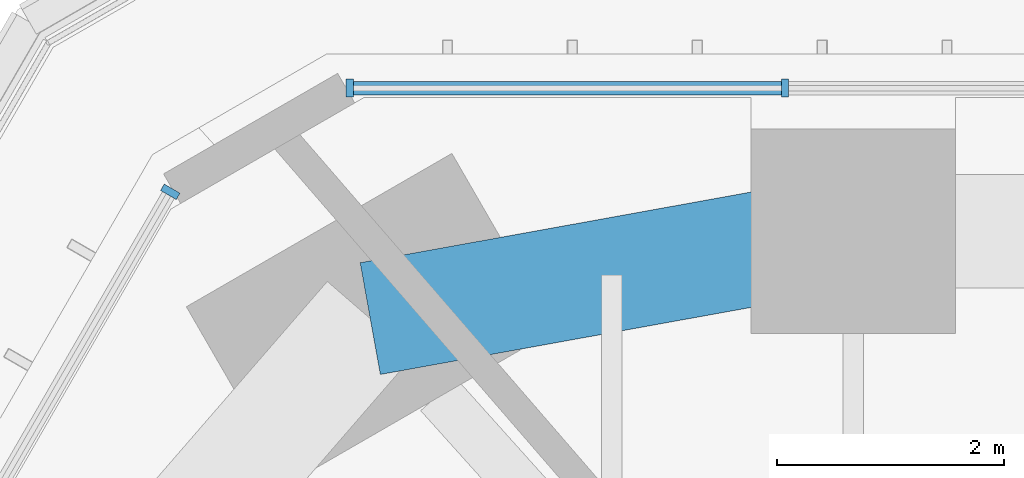
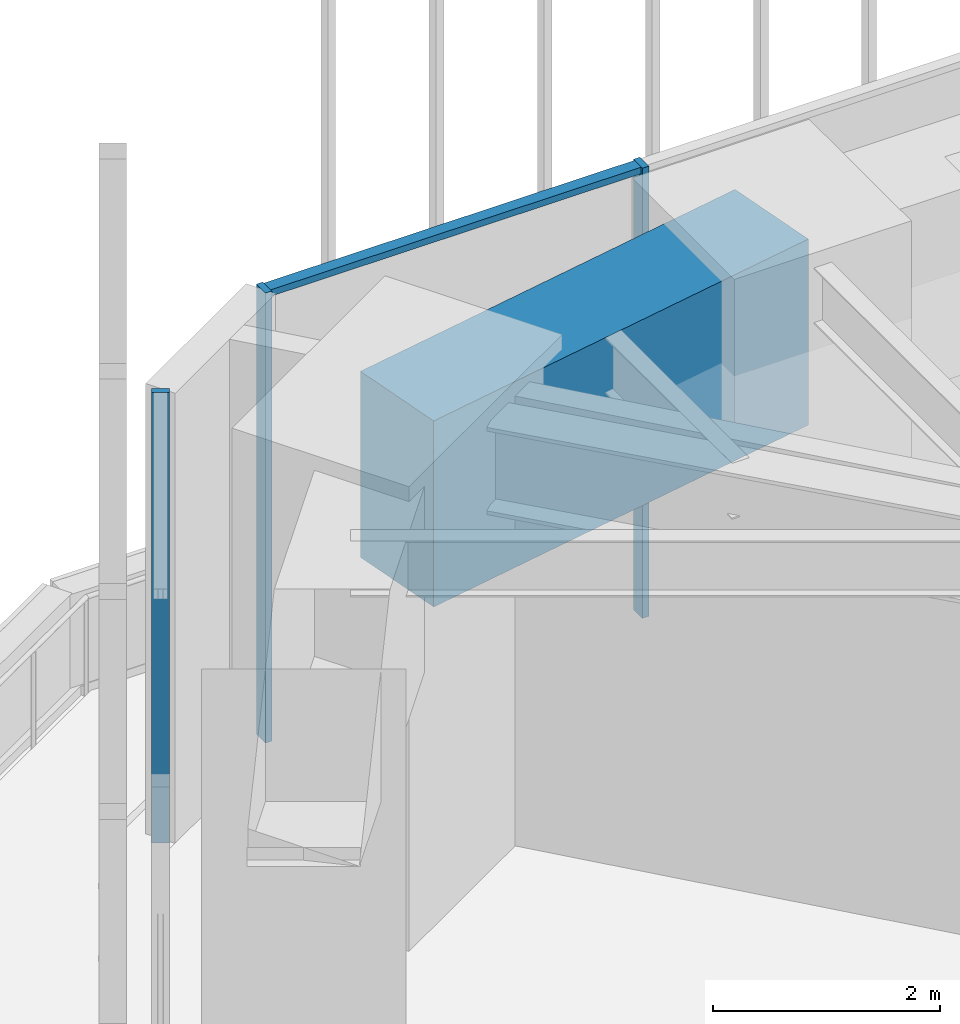
# One storey, part 154 of 228: 4 members, 1 beam, 2 elements without a shape of their own.
"""IFC4 building model written with IfcOpenShell, lengths in metres."""

from ifc_helpers import new_model, si_unit, direction, frame, origin, origin_2d, place, context, subcontext, project, spatial, rectangle, extrude, material, material_profile, profile_set, type_object, element, aggregate, save


model = new_model("IFC4")

# Units and contexts
model_context = context("Model", 3, precision=1e-05, world=origin(), true_north=direction((0.0, 1.0)))
body_context = subcontext(model_context, "Body", "Model", "MODEL_VIEW")
ifc_project = project(units=[si_unit("LENGTHUNIT", "METRE"), si_unit("AREAUNIT", "SQUARE_METRE"), si_unit("VOLUMEUNIT", "CUBIC_METRE"), si_unit("PLANEANGLEUNIT", "RADIAN"), si_unit("MASSUNIT", "GRAM", prefix="KILO")], contexts=[model_context])

# Site, building, storey
site_placement = place(None, origin())
site = spatial("IfcSite", under=ifc_project, at=site_placement, CompositionType="ELEMENT")
building_placement = place(site_placement, origin())
building = spatial("IfcBuilding", under=site, at=building_placement, Name="Sandreach Pilgrim Tower", CompositionType="ELEMENT")
storey_placement = place(building_placement, frame((0.0, 0.0, 178.199951171875)))
storey = spatial("IfcBuildingStorey", under=building, at=storey_placement, Name="L44", CompositionType="ELEMENT", Elevation=178.199951171875)

# Curtain wall, members
ifc_material_1 = material(Name="Aluminium framed curtain wall", Category="aluminium")
curtain_wall_type = type_object("IfcCurtainWallType", Name="Upper hotel tower curtain wall", PredefinedType="NOTDEFINED", material=ifc_material_1)
curtain_wall_1_placement = place(storey_placement, origin())
curtain_wall_1 = element("IfcCurtainWall", 1, at=curtain_wall_1_placement, inside=storey, type_object=curtain_wall_type, Name="CW-3 L44 N", PredefinedType="NOTDEFINED")
ifc_material_2 = material(Name="Aluminium extrusion", Category="aluminium")
ifc_material_profile_1 = material_profile(ifc_material_2, rectangle(XDim=0.06494140625, YDim=0.159912109375, at=origin_2d()), Name="CW-3M 65X160")
ifc_profile_set_1 = profile_set([ifc_material_profile_1], Name="Aluminium extrusion")
member_type_1 = type_object("IfcMemberType", Name="CW-3 mullion", PredefinedType="MULLION", material=ifc_profile_set_1)
member_1_placement = place(storey_placement, frame((-17.357421875, 21.16015625, 0.0), z_axis=(0.0, 0.0, 1.0), x_axis=(1.0, 0.0, 0.0)))
member_1 = element("IfcMember", 2, at=member_1_placement, type_object=member_type_1, Name="CW-3 mullion 1", PredefinedType="MULLION", context=body_context, shape_type="SweptSolid", body=[
    extrude(rectangle(XDim=0.06494140625, YDim=0.159912109375, at=origin_2d()), origin(), (0.0, 0.0, 1.0), 4.840087890625),
])
member_2_placement = place(storey_placement, frame((-13.525390625, 21.16015625, 0.0), z_axis=(0.0, 0.0, 1.0), x_axis=(1.0, 0.0, 0.0)))
member_2 = element("IfcMember", 3, at=member_2_placement, type_object=member_type_1, Name="CW-3 mullion 2", PredefinedType="MULLION", context=body_context, shape_type="SweptSolid", body=[
    extrude(rectangle(XDim=0.06494140625, YDim=0.159912109375, at=origin_2d()), origin(), (0.0, 0.0, 1.0), 4.840087890625),
])

# Curtain wall, member
curtain_wall_2_placement = place(storey_placement, origin())
curtain_wall_2 = element("IfcCurtainWall", 4, at=curtain_wall_2_placement, inside=storey, type_object=curtain_wall_type, Name="CW-3 L44 NW", PredefinedType="NOTDEFINED")
member_3_placement = place(storey_placement, frame((-18.93896484375, 20.2470703125, 0.0), z_axis=(0.0, 0.0, 1.0), x_axis=(0.5, 0.866025403784, 0.0)))
member_3 = element("IfcMember", 5, at=member_3_placement, type_object=member_type_1, Name="CW-3 mullion 5", PredefinedType="MULLION", context=body_context, shape_type="SweptSolid", body=[
    extrude(rectangle(XDim=0.06494140625, YDim=0.159912109375, at=origin_2d()), origin(), (0.0, 0.0, 1.0), 4.840087890625),
])
aggregate(curtain_wall_2, [member_3])

# Member
ifc_material_3 = material(Name="Aluminium extrusion", Category="aluminium")
ifc_material_profile_2 = material_profile(ifc_material_3, rectangle(XDim=0.1201171875, YDim=0.070068359375, at=origin_2d()), Name="CW-3T 120X70")
ifc_profile_set_2 = profile_set([ifc_material_profile_2], Name="Aluminium extrusion")
member_type_2 = type_object("IfcMemberType", Name="CW-3 transom", PredefinedType="USERDEFINED", material=ifc_profile_set_2)
member_4_placement = place(storey_placement, frame((-17.324951171875, 21.16015625, 4.804931640625), z_axis=(1.0, 0.0, 0.0), x_axis=(0.0, 1.0, 0.0)))
member_4 = element("IfcMember", 6, at=member_4_placement, type_object=member_type_2, Name="CW-3 head transom 1", ObjectType="TRANSOM", PredefinedType="USERDEFINED", context=body_context, shape_type="SweptSolid", body=[
    extrude(rectangle(XDim=0.1201171875, YDim=0.070068359375, at=origin_2d()), origin(), (0.0, 0.0, 1.0), 3.76708984375),
])

aggregate(curtain_wall_1, [member_1, member_2, member_4])

# Beam
ifc_material_4 = material(Name="Concrete 10000 psi", Category="concrete")
ifc_material_profile_3 = material_profile(ifc_material_4, rectangle(XDim=1.0, YDim=2.0, at=origin_2d()), Name="RC1000X2000")
ifc_profile_set_3 = profile_set([ifc_material_profile_3], Name="Concrete 10000 psi")
beam_type = type_object("IfcBeamType", Name="Spandrel beam RC1000X2000", PredefinedType="SPANDREL", material=ifc_profile_set_3)
beam_placement = place(storey_placement, frame((-17.177978515625, 19.130615234375, 3.840087890625), z_axis=(0.984030345637, 0.178000783326, 0.0), x_axis=(-0.178000783326, 0.984030345637, 0.0)))
element("IfcBeam", 7, at=beam_placement, inside=storey, type_object=beam_type, Name="BM L44 SP39", PredefinedType="SPANDREL", context=body_context, shape_type="SweptSolid", body=[
    extrude(rectangle(XDim=1.0, YDim=2.0, at=origin_2d()), origin(), (0.0, 0.0, 1.0), 4.3232421875),
])

save(model, "model.ifc")
